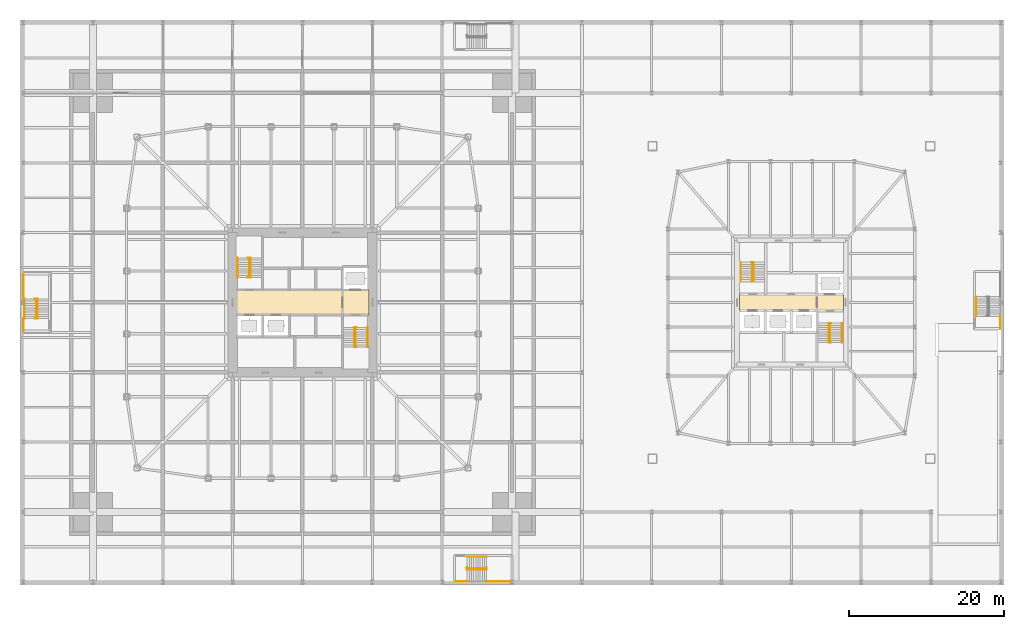
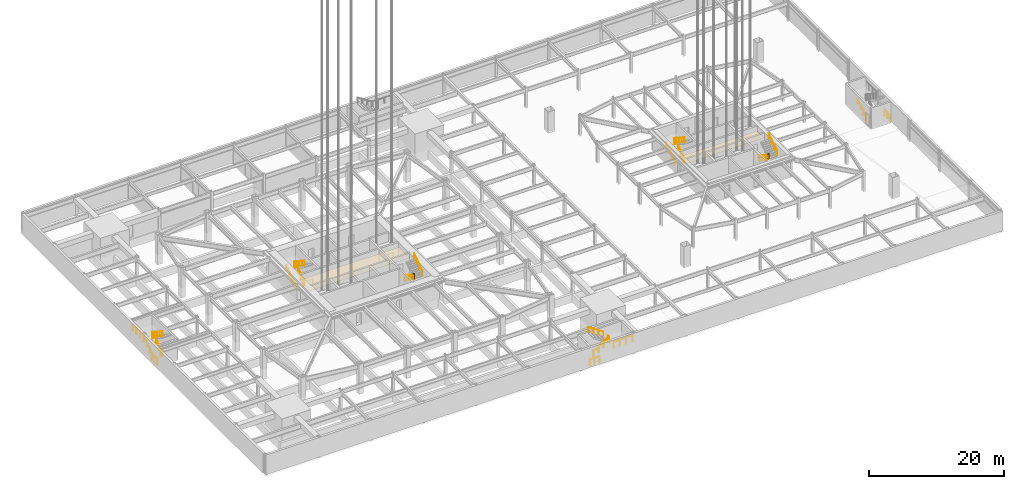
# One storey, part 33 of 35: 24 railings, 4 coverings.
"""IFC4 building model written with IfcOpenShell, lengths in metres."""

from ifc_helpers import new_model, si_unit, direction, frame, origin, origin_2d, place, context, subcontext, project, spatial, polyline, circle, outline, extrude, material, layer, layer_set, constituent, constituent_set, type_object, element, save


model = new_model("IFC4")

# Units and contexts
model_context = context("Model", 3, precision=1e-05, world=origin(), true_north=direction((0.0, 1.0)))
body_context = subcontext(model_context, "Body", "Model", "MODEL_VIEW")
ifc_project = project(units=[si_unit("LENGTHUNIT", "METRE"), si_unit("AREAUNIT", "SQUARE_METRE"), si_unit("VOLUMEUNIT", "CUBIC_METRE"), si_unit("PLANEANGLEUNIT", "RADIAN"), si_unit("MASSUNIT", "GRAM", prefix="KILO")], contexts=[model_context])

# Site, building, storey
site_placement = place(None, origin())
site = spatial("IfcSite", under=ifc_project, at=site_placement, CompositionType="ELEMENT")
building_placement = place(site_placement, origin())
building = spatial("IfcBuilding", under=site, at=building_placement, Name="Iwan Alto Co-Living Towers", CompositionType="ELEMENT")
storey_placement = place(building_placement, frame((0.0, 0.0, -7.199951171875)))
storey = spatial("IfcBuildingStorey", under=building, at=storey_placement, Name="B2", CompositionType="ELEMENT", Elevation=-7.199951171875)

# Coverings
ifc_material_1 = material(Name="Mineral fibre acoustic tiles on steel grid", Category="steel")
ifc_layer = layer(ifc_material_1, 0.02001953125)
ifc_layer_set = layer_set([ifc_layer], Name="ACOUSTIC TILE CEILING 20")
covering_type = type_object("IfcCoveringType", Name="ACOUSTIC TILE CEILING 20", PredefinedType="CEILING", material=ifc_layer_set)
covering_1_placement = place(storey_placement, frame((0.0, 0.0, 2.599853515625)))
element("IfcCovering", 1, at=covering_1_placement, inside=storey, type_object=covering_type, Name="Ceiling Lift lobby B2", PredefinedType="CEILING", context=body_context, shape_type="SweptSolid", body=[
    extrude(outline(polyline([(-8.550048828125, -1.60009765625), (-8.550048828125, 1.60009765625), (5.14990234375, 1.60009765625), (5.14990234375, -1.60009765625), (-8.550048828125, -1.60009765625)])), origin(), (0.0, 0.0, 1.0), 0.02001953125),
])
covering_2_placement = place(storey_placement, frame((0.0, 0.0, 2.599853515625)))
element("IfcCovering", 2, at=covering_2_placement, inside=storey, type_object=covering_type, Name="Ceiling Firefighting lobby B2", PredefinedType="CEILING", context=body_context, shape_type="SweptSolid", body=[
    extrude(outline(polyline([(5.14990234375, -1.60009765625), (5.14990234375, 1.60009765625), (8.550048828125, 1.60009765625), (8.550048828125, -1.60009765625), (5.14990234375, -1.60009765625)])), origin(), (0.0, 0.0, 1.0), 0.02001953125),
])
covering_3_placement = place(storey_placement, frame((0.0, 0.0, 2.599853515625)))
element("IfcCovering", 3, at=covering_3_placement, inside=storey, type_object=covering_type, Name="Ceiling Lift lobby B2", PredefinedType="CEILING", context=body_context, shape_type="SweptSolid", body=[
    extrude(outline(polyline([(56.300048828125, -1.050048828125), (56.300048828125, 1.050048828125), (66.300048828125, 1.050048828125), (66.300048828125, -1.050048828125), (56.300048828125, -1.050048828125)])), origin(), (0.0, 0.0, 1.0), 0.02001953125),
])
covering_4_placement = place(storey_placement, frame((0.0, 0.0, 2.599853515625)))
element("IfcCovering", 4, at=covering_4_placement, inside=storey, type_object=covering_type, Name="Ceiling Firefighting lobby B2", PredefinedType="CEILING", context=body_context, shape_type="SweptSolid", body=[
    extrude(outline(polyline([(66.300048828125, -1.050048828125), (66.300048828125, 1.050048828125), (69.699951171875, 1.050048828125), (69.699951171875, -1.050048828125), (66.300048828125, -1.050048828125)])), origin(), (0.0, 0.0, 1.0), 0.02001953125),
])

# Railings
ifc_material_2 = material(Name="Steel ASTM A500 Gr C", Category="steel")
ifc_constituent_1 = constituent(ifc_material_2, Name="Rails and posts", Category="Framing")
ifc_material_3 = material(Name="Steel ASTM A36", Category="steel")
ifc_constituent_2 = constituent(ifc_material_3, Name="Bar infill", Category="Infill")
ifc_constituent_set = constituent_set(constituents=[ifc_constituent_1, ifc_constituent_2], Name="STAIR GUARD 1100")
railing_type_1 = type_object("IfcRailingType", Name="STAIR GUARD 1100", PredefinedType="GUARDRAIL", material=ifc_constituent_set)
railing_1_placement = place(storey_placement, frame((-34.300048828125, -2.080078125, 0.0)))
element("IfcRailing", 5, at=railing_1_placement, inside=storey, type_object=railing_type_1, Name="Stair PS1 well guard B2", PredefinedType="GUARDRAIL", context=body_context, shape_type="SweptSolid", body=[
    extrude(circle(Radius=0.02392578125, at=origin_2d()), frame((0.0, 0.0, 1.076171875), z_axis=(0.0, 0.813728144527, 0.581245650998), x_axis=(-1.0, 0.0, 0.0)), (0.0, 0.0, 1.0), 3.096923828125),
    extrude(circle(Radius=0.02392578125, at=origin_2d()), frame((-0.14990234375, 0.0, 1.076171875), z_axis=(1.0, 0.0, 0.0), x_axis=(0.0, 1.0, 0.0)), (0.0, 0.0, 1.0), 0.300048828125),
    extrude(circle(Radius=0.02392578125, at=origin_2d()), frame((-0.14990234375, 2.52001953125, 2.8759765625), z_axis=(1.0, 0.0, 0.0), x_axis=(0.0, 1.0, 0.0)), (0.0, 0.0, 1.0), 0.300048828125),
    extrude(circle(Radius=0.02099609375, at=origin_2d()), origin(), (0.0, 0.0, 1.0), 1.052001953125),
    extrude(circle(Radius=0.02099609375, at=origin_2d()), frame((0.0, 0.840087890625, 0.60009765625)), (0.0, 0.0, 1.0), 1.052001953125),
    extrude(circle(Radius=0.02099609375, at=origin_2d()), frame((0.0, 1.679931640625, 1.199951171875)), (0.0, 0.0, 1.0), 1.052001953125),
    extrude(circle(Radius=0.02099609375, at=origin_2d()), frame((0.0, 2.52001953125, 1.800048828125)), (0.0, 0.0, 1.0), 1.052001953125),
    extrude(circle(Radius=0.02099609375, at=origin_2d()), frame((-0.14990234375, 0.0, 0.0)), (0.0, 0.0, 1.0), 1.052001953125),
    extrude(circle(Radius=0.02099609375, at=origin_2d()), frame((0.150146484375, 0.0, 0.0)), (0.0, 0.0, 1.0), 1.052001953125),
    extrude(circle(Radius=0.02099609375, at=origin_2d()), frame((-0.14990234375, 2.52001953125, 1.800048828125)), (0.0, 0.0, 1.0), 1.052001953125),
    extrude(circle(Radius=0.02099609375, at=origin_2d()), frame((0.150146484375, 2.52001953125, 1.800048828125)), (0.0, 0.0, 1.0), 1.052001953125),
])
railing_2_placement = place(storey_placement, frame((-35.93994140625, -3.64990234375, 0.0)))
element("IfcRailing", 6, at=railing_2_placement, inside=storey, type_object=railing_type_1, Name="Stair PS1 edge guard B2 1", PredefinedType="GUARDRAIL", context=body_context, shape_type="SweptSolid", body=[
    extrude(circle(Radius=0.02392578125, at=origin_2d()), frame((0.0, 0.0, 1.076171875), z_axis=(0.0, 1.0, 0.0), x_axis=(-1.0, 0.0, 0.0)), (0.0, 0.0, 1.0), 1.619873046875),
    extrude(circle(Radius=0.02099609375, at=origin_2d()), origin(), (0.0, 0.0, 1.0), 1.052001953125),
    extrude(circle(Radius=0.02099609375, at=origin_2d()), frame((0.0, 0.81005859375, 0.0)), (0.0, 0.0, 1.0), 1.052001953125),
    extrude(circle(Radius=0.02099609375, at=origin_2d()), frame((0.0, 1.619873046875, 0.0)), (0.0, 0.0, 1.0), 1.052001953125),
])
railing_3_placement = place(storey_placement, frame((-35.93994140625, 0.389892578125, 1.800048828125)))
element("IfcRailing", 7, at=railing_3_placement, inside=storey, type_object=railing_type_1, Name="Stair PS1 edge guard B2 2", PredefinedType="GUARDRAIL", context=body_context, shape_type="SweptSolid", body=[
    extrude(circle(Radius=0.02392578125, at=origin_2d()), frame((0.0, 0.0, 1.076171875), z_axis=(0.0, 1.0, 0.0), x_axis=(-1.0, 0.0, 0.0)), (0.0, 0.0, 1.0), 3.260009765625),
    extrude(circle(Radius=0.02099609375, at=origin_2d()), origin(), (0.0, 0.0, 1.0), 1.052001953125),
    extrude(circle(Radius=0.02099609375, at=origin_2d()), frame((0.0, 1.086669921875, 0.0)), (0.0, 0.0, 1.0), 1.052001953125),
    extrude(circle(Radius=0.02099609375, at=origin_2d()), frame((0.0, 2.17333984375, 0.0)), (0.0, 0.0, 1.0), 1.052001953125),
    extrude(circle(Radius=0.02099609375, at=origin_2d()), frame((0.0, 3.260009765625, 0.0)), (0.0, 0.0, 1.0), 1.052001953125),
])
railing_4_placement = place(storey_placement, frame((89.93994140625, -3.35009765625, 0.0)))
element("IfcRailing", 8, at=railing_4_placement, inside=storey, type_object=railing_type_1, Name="Stair PS2 edge guard B2 1", PredefinedType="GUARDRAIL", context=body_context, shape_type="SweptSolid", body=[
    extrude(circle(Radius=0.02392578125, at=origin_2d()), frame((0.0, 0.0, 1.076171875), z_axis=(0.0, 1.0, 0.0), x_axis=(-1.0, 0.0, 0.0)), (0.0, 0.0, 1.0), 1.6201171875),
    extrude(circle(Radius=0.02099609375, at=origin_2d()), origin(), (0.0, 0.0, 1.0), 1.052001953125),
    extrude(circle(Radius=0.02099609375, at=origin_2d()), frame((0.0, 0.81005859375, 0.0)), (0.0, 0.0, 1.0), 1.052001953125),
    extrude(circle(Radius=0.02099609375, at=origin_2d()), frame((0.0, 1.6201171875, 0.0)), (0.0, 0.0, 1.0), 1.052001953125),
])
railing_5_placement = place(storey_placement, frame((21.219970703125, -34.300048828125, 0.0)))
element("IfcRailing", 9, at=railing_5_placement, inside=storey, type_object=railing_type_1, Name="Stair PS4 well guard B2", PredefinedType="GUARDRAIL", context=body_context, shape_type="SweptSolid", body=[
    extrude(circle(Radius=0.02392578125, at=origin_2d()), frame((0.0, 0.0, 1.076171875), z_axis=(0.813728144527, 0.0, 0.581245650998), x_axis=(0.0, 1.0, 0.0)), (0.0, 0.0, 1.0), 3.096923828125),
    extrude(circle(Radius=0.02392578125, at=origin_2d()), frame((0.0, -0.14990234375, 1.076171875), z_axis=(0.0, 1.0, 0.0), x_axis=(-1.0, 0.0, 0.0)), (0.0, 0.0, 1.0), 0.300048828125),
    extrude(circle(Radius=0.02392578125, at=origin_2d()), frame((2.52001953125, -0.14990234375, 2.8759765625), z_axis=(0.0, 1.0, 0.0), x_axis=(-1.0, 0.0, 0.0)), (0.0, 0.0, 1.0), 0.300048828125),
    extrude(circle(Radius=0.02099609375, at=origin_2d()), origin(), (0.0, 0.0, 1.0), 1.052001953125),
    extrude(circle(Radius=0.02099609375, at=origin_2d()), frame((0.840087890625, 0.0, 0.60009765625)), (0.0, 0.0, 1.0), 1.052001953125),
    extrude(circle(Radius=0.02099609375, at=origin_2d()), frame((1.679931640625, 0.0, 1.199951171875)), (0.0, 0.0, 1.0), 1.052001953125),
    extrude(circle(Radius=0.02099609375, at=origin_2d()), frame((2.52001953125, 0.0, 1.800048828125)), (0.0, 0.0, 1.0), 1.052001953125),
    extrude(circle(Radius=0.02099609375, at=origin_2d()), frame((0.0, -0.14990234375, 0.0)), (0.0, 0.0, 1.0), 1.052001953125),
    extrude(circle(Radius=0.02099609375, at=origin_2d()), frame((0.0, 0.150146484375, 0.0)), (0.0, 0.0, 1.0), 1.052001953125),
    extrude(circle(Radius=0.02099609375, at=origin_2d()), frame((2.52001953125, -0.14990234375, 1.800048828125)), (0.0, 0.0, 1.0), 1.052001953125),
    extrude(circle(Radius=0.02099609375, at=origin_2d()), frame((2.52001953125, 0.150146484375, 1.800048828125)), (0.0, 0.0, 1.0), 1.052001953125),
])
railing_6_placement = place(storey_placement, frame((19.64990234375, -35.93994140625, 0.0)))
element("IfcRailing", 10, at=railing_6_placement, inside=storey, type_object=railing_type_1, Name="Stair PS4 edge guard B2 1", PredefinedType="GUARDRAIL", context=body_context, shape_type="SweptSolid", body=[
    extrude(circle(Radius=0.02392578125, at=origin_2d()), frame((0.0, 0.0, 1.076171875), z_axis=(1.0, 0.0, 0.0), x_axis=(0.0, 1.0, 0.0)), (0.0, 0.0, 1.0), 1.6201171875),
    extrude(circle(Radius=0.02099609375, at=origin_2d()), origin(), (0.0, 0.0, 1.0), 1.052001953125),
    extrude(circle(Radius=0.02099609375, at=origin_2d()), frame((0.81005859375, 0.0, 0.0)), (0.0, 0.0, 1.0), 1.052001953125),
    extrude(circle(Radius=0.02099609375, at=origin_2d()), frame((1.6201171875, 0.0, 0.0)), (0.0, 0.0, 1.0), 1.052001953125),
])
railing_7_placement = place(storey_placement, frame((23.68994140625, -35.93994140625, 1.800048828125)))
element("IfcRailing", 11, at=railing_7_placement, inside=storey, type_object=railing_type_1, Name="Stair PS4 edge guard B2 2", PredefinedType="GUARDRAIL", context=body_context, shape_type="SweptSolid", body=[
    extrude(circle(Radius=0.02392578125, at=origin_2d()), frame((0.0, 0.0, 1.076171875), z_axis=(1.0, 0.0, 0.0), x_axis=(0.0, 1.0, 0.0)), (0.0, 0.0, 1.0), 3.260009765625),
    extrude(circle(Radius=0.02099609375, at=origin_2d()), origin(), (0.0, 0.0, 1.0), 1.052001953125),
    extrude(circle(Radius=0.02099609375, at=origin_2d()), frame((1.086669921875, 0.0, 0.0)), (0.0, 0.0, 1.0), 1.052001953125),
    extrude(circle(Radius=0.02099609375, at=origin_2d()), frame((2.17333984375, 0.0, 0.0)), (0.0, 0.0, 1.0), 1.052001953125),
    extrude(circle(Radius=0.02099609375, at=origin_2d()), frame((3.260009765625, 0.0, 0.0)), (0.0, 0.0, 1.0), 1.052001953125),
])
railing_8_placement = place(storey_placement, frame((-6.85009765625, 3.219970703125, 0.0)))
element("IfcRailing", 12, at=railing_8_placement, inside=storey, type_object=railing_type_1, Name="Stair T1-S1 well guard B2", PredefinedType="GUARDRAIL", context=body_context, shape_type="SweptSolid", body=[
    extrude(circle(Radius=0.02392578125, at=origin_2d()), frame((0.0, 0.0, 1.076171875), z_axis=(0.0, 0.813728144527, 0.581245650998), x_axis=(-1.0, 0.0, 0.0)), (0.0, 0.0, 1.0), 3.096923828125),
    extrude(circle(Radius=0.02392578125, at=origin_2d()), frame((-0.14990234375, 0.0, 1.076171875), z_axis=(1.0, 0.0, 0.0), x_axis=(0.0, 1.0, 0.0)), (0.0, 0.0, 1.0), 0.300048828125),
    extrude(circle(Radius=0.02392578125, at=origin_2d()), frame((-0.14990234375, 2.52001953125, 2.8759765625), z_axis=(1.0, 0.0, 0.0), x_axis=(0.0, 1.0, 0.0)), (0.0, 0.0, 1.0), 0.300048828125),
    extrude(circle(Radius=0.02099609375, at=origin_2d()), origin(), (0.0, 0.0, 1.0), 1.052001953125),
    extrude(circle(Radius=0.02099609375, at=origin_2d()), frame((0.0, 0.840087890625, 0.60009765625)), (0.0, 0.0, 1.0), 1.052001953125),
    extrude(circle(Radius=0.02099609375, at=origin_2d()), frame((0.0, 1.679931640625, 1.199951171875)), (0.0, 0.0, 1.0), 1.052001953125),
    extrude(circle(Radius=0.02099609375, at=origin_2d()), frame((0.0, 2.52001953125, 1.800048828125)), (0.0, 0.0, 1.0), 1.052001953125),
    extrude(circle(Radius=0.02099609375, at=origin_2d()), frame((-0.14990234375, 0.0, 0.0)), (0.0, 0.0, 1.0), 1.052001953125),
    extrude(circle(Radius=0.02099609375, at=origin_2d()), frame((0.150146484375, 0.0, 0.0)), (0.0, 0.0, 1.0), 1.052001953125),
    extrude(circle(Radius=0.02099609375, at=origin_2d()), frame((-0.14990234375, 2.52001953125, 1.800048828125)), (0.0, 0.0, 1.0), 1.052001953125),
    extrude(circle(Radius=0.02099609375, at=origin_2d()), frame((0.150146484375, 2.52001953125, 1.800048828125)), (0.0, 0.0, 1.0), 1.052001953125),
])
railing_9_placement = place(storey_placement, frame((6.85009765625, -3.219970703125, 0.0)))
element("IfcRailing", 13, at=railing_9_placement, inside=storey, type_object=railing_type_1, Name="Stair T1-S2 well guard B2", PredefinedType="GUARDRAIL", context=body_context, shape_type="SweptSolid", body=[
    extrude(circle(Radius=0.02392578125, at=origin_2d()), frame((0.0, 0.0, 1.076171875), z_axis=(0.0, -0.813728144527, 0.581245650998), x_axis=(1.0, 0.0, 0.0)), (0.0, 0.0, 1.0), 3.096923828125),
    extrude(circle(Radius=0.02392578125, at=origin_2d()), frame((-0.150146484375, 0.0, 1.076171875), z_axis=(1.0, 0.0, 0.0), x_axis=(0.0, 1.0, 0.0)), (0.0, 0.0, 1.0), 0.300048828125),
    extrude(circle(Radius=0.02392578125, at=origin_2d()), frame((-0.150146484375, -2.52001953125, 2.8759765625), z_axis=(1.0, 0.0, 0.0), x_axis=(0.0, 1.0, 0.0)), (0.0, 0.0, 1.0), 0.300048828125),
    extrude(circle(Radius=0.02099609375, at=origin_2d()), origin(), (0.0, 0.0, 1.0), 1.052001953125),
    extrude(circle(Radius=0.02099609375, at=origin_2d()), frame((0.0, -0.840087890625, 0.60009765625)), (0.0, 0.0, 1.0), 1.052001953125),
    extrude(circle(Radius=0.02099609375, at=origin_2d()), frame((0.0, -1.679931640625, 1.199951171875)), (0.0, 0.0, 1.0), 1.052001953125),
    extrude(circle(Radius=0.02099609375, at=origin_2d()), frame((0.0, -2.52001953125, 1.800048828125)), (0.0, 0.0, 1.0), 1.052001953125),
    extrude(circle(Radius=0.02099609375, at=origin_2d()), frame((-0.150146484375, 0.0, 0.0)), (0.0, 0.0, 1.0), 1.052001953125),
    extrude(circle(Radius=0.02099609375, at=origin_2d()), frame((0.14990234375, 0.0, 0.0)), (0.0, 0.0, 1.0), 1.052001953125),
    extrude(circle(Radius=0.02099609375, at=origin_2d()), frame((-0.150146484375, -2.52001953125, 1.800048828125)), (0.0, 0.0, 1.0), 1.052001953125),
    extrude(circle(Radius=0.02099609375, at=origin_2d()), frame((0.14990234375, -2.52001953125, 1.800048828125)), (0.0, 0.0, 1.0), 1.052001953125),
])
railing_10_placement = place(storey_placement, frame((58.0, 2.669921875, 0.0)))
element("IfcRailing", 14, at=railing_10_placement, inside=storey, type_object=railing_type_1, Name="Stair T2-S1 well guard B2", PredefinedType="GUARDRAIL", context=body_context, shape_type="SweptSolid", body=[
    extrude(circle(Radius=0.02392578125, at=origin_2d()), frame((0.0, 0.0, 1.076171875), z_axis=(0.0, 0.813728144527, 0.581245650998), x_axis=(-1.0, 0.0, 0.0)), (0.0, 0.0, 1.0), 3.096923828125),
    extrude(circle(Radius=0.02392578125, at=origin_2d()), frame((-0.14990234375, 0.0, 1.076171875), z_axis=(1.0, 0.0, 0.0), x_axis=(0.0, 1.0, 0.0)), (0.0, 0.0, 1.0), 0.2998046875),
    extrude(circle(Radius=0.02392578125, at=origin_2d()), frame((-0.14990234375, 2.52001953125, 2.8759765625), z_axis=(1.0, 0.0, 0.0), x_axis=(0.0, 1.0, 0.0)), (0.0, 0.0, 1.0), 0.2998046875),
    extrude(circle(Radius=0.02099609375, at=origin_2d()), origin(), (0.0, 0.0, 1.0), 1.052001953125),
    extrude(circle(Radius=0.02099609375, at=origin_2d()), frame((0.0, 0.840087890625, 0.60009765625)), (0.0, 0.0, 1.0), 1.052001953125),
    extrude(circle(Radius=0.02099609375, at=origin_2d()), frame((0.0, 1.679931640625, 1.199951171875)), (0.0, 0.0, 1.0), 1.052001953125),
    extrude(circle(Radius=0.02099609375, at=origin_2d()), frame((0.0, 2.52001953125, 1.800048828125)), (0.0, 0.0, 1.0), 1.052001953125),
    extrude(circle(Radius=0.02099609375, at=origin_2d()), frame((-0.14990234375, 0.0, 0.0)), (0.0, 0.0, 1.0), 1.052001953125),
    extrude(circle(Radius=0.02099609375, at=origin_2d()), frame((0.14990234375, 0.0, 0.0)), (0.0, 0.0, 1.0), 1.052001953125),
    extrude(circle(Radius=0.02099609375, at=origin_2d()), frame((-0.14990234375, 2.52001953125, 1.800048828125)), (0.0, 0.0, 1.0), 1.052001953125),
    extrude(circle(Radius=0.02099609375, at=origin_2d()), frame((0.14990234375, 2.52001953125, 1.800048828125)), (0.0, 0.0, 1.0), 1.052001953125),
])
railing_11_placement = place(storey_placement, frame((68.0, -2.669921875, 0.0)))
element("IfcRailing", 15, at=railing_11_placement, inside=storey, type_object=railing_type_1, Name="Stair T2-S2 well guard B2", PredefinedType="GUARDRAIL", context=body_context, shape_type="SweptSolid", body=[
    extrude(circle(Radius=0.02392578125, at=origin_2d()), frame((0.0, 0.0, 1.076171875), z_axis=(0.0, -0.813728144527, 0.581245650998), x_axis=(1.0, 0.0, 0.0)), (0.0, 0.0, 1.0), 3.096923828125),
    extrude(circle(Radius=0.02392578125, at=origin_2d()), frame((-0.14990234375, 0.0, 1.076171875), z_axis=(1.0, 0.0, 0.0), x_axis=(0.0, 1.0, 0.0)), (0.0, 0.0, 1.0), 0.2998046875),
    extrude(circle(Radius=0.02392578125, at=origin_2d()), frame((-0.14990234375, -2.52001953125, 2.8759765625), z_axis=(1.0, 0.0, 0.0), x_axis=(0.0, 1.0, 0.0)), (0.0, 0.0, 1.0), 0.2998046875),
    extrude(circle(Radius=0.02099609375, at=origin_2d()), origin(), (0.0, 0.0, 1.0), 1.052001953125),
    extrude(circle(Radius=0.02099609375, at=origin_2d()), frame((0.0, -0.840087890625, 0.60009765625)), (0.0, 0.0, 1.0), 1.052001953125),
    extrude(circle(Radius=0.02099609375, at=origin_2d()), frame((0.0, -1.679931640625, 1.199951171875)), (0.0, 0.0, 1.0), 1.052001953125),
    extrude(circle(Radius=0.02099609375, at=origin_2d()), frame((0.0, -2.52001953125, 1.800048828125)), (0.0, 0.0, 1.0), 1.052001953125),
    extrude(circle(Radius=0.02099609375, at=origin_2d()), frame((-0.14990234375, 0.0, 0.0)), (0.0, 0.0, 1.0), 1.052001953125),
    extrude(circle(Radius=0.02099609375, at=origin_2d()), frame((0.14990234375, 0.0, 0.0)), (0.0, 0.0, 1.0), 1.052001953125),
    extrude(circle(Radius=0.02099609375, at=origin_2d()), frame((-0.14990234375, -2.52001953125, 1.800048828125)), (0.0, 0.0, 1.0), 1.052001953125),
    extrude(circle(Radius=0.02099609375, at=origin_2d()), frame((0.14990234375, -2.52001953125, 1.800048828125)), (0.0, 0.0, 1.0), 1.052001953125),
])
ifc_material_4 = material(Name="Steel ASTM A500 Gr C", Category="steel")
railing_type_2 = type_object("IfcRailingType", Name="STAIR HANDRAIL 900", PredefinedType="HANDRAIL", material=ifc_material_4)
railing_12_placement = place(storey_placement, frame((-35.830078125, -2.080078125, 0.179931640625)))
element("IfcRailing", 16, at=railing_12_placement, inside=storey, type_object=railing_type_2, Name="Stair PS1 handrail 1 B2", PredefinedType="HANDRAIL", context=body_context, shape_type="SweptSolid", body=[
    extrude(circle(Radius=0.02392578125, at=origin_2d()), frame((0.0, 0.0, 0.8759765625), z_axis=(0.0, 0.841162588446, 0.540782303519), x_axis=(-1.0, 0.0, 0.0)), (0.0, 0.0, 1.0), 2.995849609375),
    extrude(circle(Radius=0.02099609375, at=origin_2d()), origin(), (0.0, 0.0, 1.0), 0.851806640625),
    extrude(circle(Radius=0.02099609375, at=origin_2d()), frame((0.0, 0.840087890625, 0.5400390625)), (0.0, 0.0, 1.0), 0.851806640625),
    extrude(circle(Radius=0.02099609375, at=origin_2d()), frame((0.0, 1.679931640625, 1.080078125)), (0.0, 0.0, 1.0), 0.851806640625),
    extrude(circle(Radius=0.02099609375, at=origin_2d()), frame((0.0, 2.52001953125, 1.6201171875)), (0.0, 0.0, 1.0), 0.851806640625),
])
railing_13_placement = place(storey_placement, frame((-34.14990234375, 0.43994140625, 1.97998046875)))
element("IfcRailing", 17, at=railing_13_placement, inside=storey, type_object=railing_type_2, Name="Stair PS1 handrail 2 B2", PredefinedType="HANDRAIL", context=body_context, shape_type="SweptSolid", body=[
    extrude(circle(Radius=0.02392578125, at=origin_2d()), frame((0.0, 0.0, 0.8759765625), z_axis=(0.0, -0.841199657755, 0.540724639528), x_axis=(1.0, 0.0, 0.0)), (0.0, 0.0, 1.0), 2.995849609375),
    extrude(circle(Radius=0.02099609375, at=origin_2d()), origin(), (0.0, 0.0, 1.0), 0.851806640625),
    extrude(circle(Radius=0.02099609375, at=origin_2d()), frame((0.0, -0.840087890625, 0.5400390625)), (0.0, 0.0, 1.0), 0.851806640625),
    extrude(circle(Radius=0.02099609375, at=origin_2d()), frame((0.0, -1.679931640625, 1.079833984375)), (0.0, 0.0, 1.0), 0.851806640625),
    extrude(circle(Radius=0.02099609375, at=origin_2d()), frame((0.0, -2.52001953125, 1.619873046875)), (0.0, 0.0, 1.0), 0.851806640625),
])
railing_14_placement = place(storey_placement, frame((86.77001953125, -1.780029296875, 0.179931640625)))
element("IfcRailing", 18, at=railing_14_placement, inside=storey, type_object=railing_type_2, Name="Stair PS2 handrail 1 B2", PredefinedType="HANDRAIL", context=body_context, shape_type="SweptSolid", body=[
    extrude(circle(Radius=0.02392578125, at=origin_2d()), frame((0.0, 0.0, 0.8759765625), z_axis=(0.0, 0.841162588446, 0.540782303519), x_axis=(-1.0, 0.0, 0.0)), (0.0, 0.0, 1.0), 2.995849609375),
    extrude(circle(Radius=0.02099609375, at=origin_2d()), origin(), (0.0, 0.0, 1.0), 0.851806640625),
    extrude(circle(Radius=0.02099609375, at=origin_2d()), frame((0.0, 0.840087890625, 0.5400390625)), (0.0, 0.0, 1.0), 0.851806640625),
    extrude(circle(Radius=0.02099609375, at=origin_2d()), frame((0.0, 1.679931640625, 1.080078125)), (0.0, 0.0, 1.0), 0.851806640625),
    extrude(circle(Radius=0.02099609375, at=origin_2d()), frame((0.0, 2.52001953125, 1.6201171875)), (0.0, 0.0, 1.0), 0.851806640625),
])
railing_15_placement = place(storey_placement, frame((21.219970703125, -34.449951171875, 0.179931640625)))
element("IfcRailing", 19, at=railing_15_placement, inside=storey, type_object=railing_type_2, Name="Stair PS4 handrail 1 B2", PredefinedType="HANDRAIL", context=body_context, shape_type="SweptSolid", body=[
    extrude(circle(Radius=0.02392578125, at=origin_2d()), frame((0.0, 0.0, 0.8759765625), z_axis=(0.841162588446, 0.0, 0.540782303519), x_axis=(0.0, 1.0, 0.0)), (0.0, 0.0, 1.0), 2.995849609375),
    extrude(circle(Radius=0.02099609375, at=origin_2d()), origin(), (0.0, 0.0, 1.0), 0.851806640625),
    extrude(circle(Radius=0.02099609375, at=origin_2d()), frame((0.840087890625, 0.0, 0.5400390625)), (0.0, 0.0, 1.0), 0.851806640625),
    extrude(circle(Radius=0.02099609375, at=origin_2d()), frame((1.679931640625, 0.0, 1.080078125)), (0.0, 0.0, 1.0), 0.851806640625),
    extrude(circle(Radius=0.02099609375, at=origin_2d()), frame((2.52001953125, 0.0, 1.6201171875)), (0.0, 0.0, 1.0), 0.851806640625),
])
railing_16_placement = place(storey_placement, frame((23.739990234375, -32.77001953125, 1.97998046875)))
element("IfcRailing", 20, at=railing_16_placement, inside=storey, type_object=railing_type_2, Name="Stair PS4 handrail 2 B2", PredefinedType="HANDRAIL", context=body_context, shape_type="SweptSolid", body=[
    extrude(circle(Radius=0.02392578125, at=origin_2d()), frame((0.0, 0.0, 0.8759765625), z_axis=(-0.841199657755, 0.0, 0.540724639528), x_axis=(0.0, -1.0, 0.0)), (0.0, 0.0, 1.0), 2.995849609375),
    extrude(circle(Radius=0.02099609375, at=origin_2d()), origin(), (0.0, 0.0, 1.0), 0.851806640625),
    extrude(circle(Radius=0.02099609375, at=origin_2d()), frame((-0.840087890625, 0.0, 0.5400390625)), (0.0, 0.0, 1.0), 0.851806640625),
    extrude(circle(Radius=0.02099609375, at=origin_2d()), frame((-1.679931640625, 0.0, 1.079833984375)), (0.0, 0.0, 1.0), 0.851806640625),
    extrude(circle(Radius=0.02099609375, at=origin_2d()), frame((-2.52001953125, 0.0, 1.619873046875)), (0.0, 0.0, 1.0), 0.851806640625),
])
railing_17_placement = place(storey_placement, frame((-8.3798828125, 3.219970703125, 0.179931640625)))
element("IfcRailing", 21, at=railing_17_placement, inside=storey, type_object=railing_type_2, Name="Stair T1-S1 handrail 1 B2", PredefinedType="HANDRAIL", context=body_context, shape_type="SweptSolid", body=[
    extrude(circle(Radius=0.02392578125, at=origin_2d()), frame((0.0, 0.0, 0.8759765625), z_axis=(0.0, 0.841162588446, 0.540782303519), x_axis=(-1.0, 0.0, 0.0)), (0.0, 0.0, 1.0), 2.995849609375),
    extrude(circle(Radius=0.02099609375, at=origin_2d()), origin(), (0.0, 0.0, 1.0), 0.851806640625),
    extrude(circle(Radius=0.02099609375, at=origin_2d()), frame((0.0, 0.840087890625, 0.5400390625)), (0.0, 0.0, 1.0), 0.851806640625),
    extrude(circle(Radius=0.02099609375, at=origin_2d()), frame((0.0, 1.679931640625, 1.080078125)), (0.0, 0.0, 1.0), 0.851806640625),
    extrude(circle(Radius=0.02099609375, at=origin_2d()), frame((0.0, 2.52001953125, 1.6201171875)), (0.0, 0.0, 1.0), 0.851806640625),
])
railing_18_placement = place(storey_placement, frame((-6.699951171875, 5.739990234375, 1.97998046875)))
element("IfcRailing", 22, at=railing_18_placement, inside=storey, type_object=railing_type_2, Name="Stair T1-S1 handrail 2 B2", PredefinedType="HANDRAIL", context=body_context, shape_type="SweptSolid", body=[
    extrude(circle(Radius=0.02392578125, at=origin_2d()), frame((0.0, 0.0, 0.8759765625), z_axis=(0.0, -0.841199657755, 0.540724639528), x_axis=(1.0, 0.0, 0.0)), (0.0, 0.0, 1.0), 2.995849609375),
    extrude(circle(Radius=0.02099609375, at=origin_2d()), origin(), (0.0, 0.0, 1.0), 0.851806640625),
    extrude(circle(Radius=0.02099609375, at=origin_2d()), frame((0.0, -0.840087890625, 0.5400390625)), (0.0, 0.0, 1.0), 0.851806640625),
    extrude(circle(Radius=0.02099609375, at=origin_2d()), frame((0.0, -1.679931640625, 1.079833984375)), (0.0, 0.0, 1.0), 0.851806640625),
    extrude(circle(Radius=0.02099609375, at=origin_2d()), frame((0.0, -2.52001953125, 1.619873046875)), (0.0, 0.0, 1.0), 0.851806640625),
])
railing_19_placement = place(storey_placement, frame((6.699951171875, -3.219970703125, 0.179931640625)))
element("IfcRailing", 23, at=railing_19_placement, inside=storey, type_object=railing_type_2, Name="Stair T1-S2 handrail 1 B2", PredefinedType="HANDRAIL", context=body_context, shape_type="SweptSolid", body=[
    extrude(circle(Radius=0.02392578125, at=origin_2d()), frame((0.0, 0.0, 0.8759765625), z_axis=(0.0, -0.841162588446, 0.540782303519), x_axis=(1.0, 0.0, 0.0)), (0.0, 0.0, 1.0), 2.995849609375),
    extrude(circle(Radius=0.02099609375, at=origin_2d()), origin(), (0.0, 0.0, 1.0), 0.851806640625),
    extrude(circle(Radius=0.02099609375, at=origin_2d()), frame((0.0, -0.840087890625, 0.5400390625)), (0.0, 0.0, 1.0), 0.851806640625),
    extrude(circle(Radius=0.02099609375, at=origin_2d()), frame((0.0, -1.679931640625, 1.080078125)), (0.0, 0.0, 1.0), 0.851806640625),
    extrude(circle(Radius=0.02099609375, at=origin_2d()), frame((0.0, -2.52001953125, 1.6201171875)), (0.0, 0.0, 1.0), 0.851806640625),
])
railing_20_placement = place(storey_placement, frame((8.3798828125, -5.739990234375, 1.97998046875)))
element("IfcRailing", 24, at=railing_20_placement, inside=storey, type_object=railing_type_2, Name="Stair T1-S2 handrail 2 B2", PredefinedType="HANDRAIL", context=body_context, shape_type="SweptSolid", body=[
    extrude(circle(Radius=0.02392578125, at=origin_2d()), frame((0.0, 0.0, 0.8759765625), z_axis=(0.0, 0.841199657755, 0.540724639528), x_axis=(-1.0, 0.0, 0.0)), (0.0, 0.0, 1.0), 2.995849609375),
    extrude(circle(Radius=0.02099609375, at=origin_2d()), origin(), (0.0, 0.0, 1.0), 0.851806640625),
    extrude(circle(Radius=0.02099609375, at=origin_2d()), frame((0.0, 0.840087890625, 0.5400390625)), (0.0, 0.0, 1.0), 0.851806640625),
    extrude(circle(Radius=0.02099609375, at=origin_2d()), frame((0.0, 1.679931640625, 1.079833984375)), (0.0, 0.0, 1.0), 0.851806640625),
    extrude(circle(Radius=0.02099609375, at=origin_2d()), frame((0.0, 2.52001953125, 1.619873046875)), (0.0, 0.0, 1.0), 0.851806640625),
])
railing_21_placement = place(storey_placement, frame((56.469970703125, 2.669921875, 0.179931640625)))
element("IfcRailing", 25, at=railing_21_placement, inside=storey, type_object=railing_type_2, Name="Stair T2-S1 handrail 1 B2", PredefinedType="HANDRAIL", context=body_context, shape_type="SweptSolid", body=[
    extrude(circle(Radius=0.02392578125, at=origin_2d()), frame((0.0, 0.0, 0.8759765625), z_axis=(0.0, 0.841162588446, 0.540782303519), x_axis=(-1.0, 0.0, 0.0)), (0.0, 0.0, 1.0), 2.995849609375),
    extrude(circle(Radius=0.02099609375, at=origin_2d()), origin(), (0.0, 0.0, 1.0), 0.851806640625),
    extrude(circle(Radius=0.02099609375, at=origin_2d()), frame((0.0, 0.840087890625, 0.5400390625)), (0.0, 0.0, 1.0), 0.851806640625),
    extrude(circle(Radius=0.02099609375, at=origin_2d()), frame((0.0, 1.679931640625, 1.080078125)), (0.0, 0.0, 1.0), 0.851806640625),
    extrude(circle(Radius=0.02099609375, at=origin_2d()), frame((0.0, 2.52001953125, 1.6201171875)), (0.0, 0.0, 1.0), 0.851806640625),
])
railing_22_placement = place(storey_placement, frame((58.14990234375, 5.18994140625, 1.97998046875)))
element("IfcRailing", 26, at=railing_22_placement, inside=storey, type_object=railing_type_2, Name="Stair T2-S1 handrail 2 B2", PredefinedType="HANDRAIL", context=body_context, shape_type="SweptSolid", body=[
    extrude(circle(Radius=0.02392578125, at=origin_2d()), frame((0.0, 0.0, 0.8759765625), z_axis=(0.0, -0.841199657755, 0.540724639528), x_axis=(1.0, 0.0, 0.0)), (0.0, 0.0, 1.0), 2.995849609375),
    extrude(circle(Radius=0.02099609375, at=origin_2d()), origin(), (0.0, 0.0, 1.0), 0.851806640625),
    extrude(circle(Radius=0.02099609375, at=origin_2d()), frame((0.0, -0.840087890625, 0.5400390625)), (0.0, 0.0, 1.0), 0.851806640625),
    extrude(circle(Radius=0.02099609375, at=origin_2d()), frame((0.0, -1.679931640625, 1.079833984375)), (0.0, 0.0, 1.0), 0.851806640625),
    extrude(circle(Radius=0.02099609375, at=origin_2d()), frame((0.0, -2.52001953125, 1.619873046875)), (0.0, 0.0, 1.0), 0.851806640625),
])
railing_23_placement = place(storey_placement, frame((67.85009765625, -2.669921875, 0.179931640625)))
element("IfcRailing", 27, at=railing_23_placement, inside=storey, type_object=railing_type_2, Name="Stair T2-S2 handrail 1 B2", PredefinedType="HANDRAIL", context=body_context, shape_type="SweptSolid", body=[
    extrude(circle(Radius=0.02392578125, at=origin_2d()), frame((0.0, 0.0, 0.8759765625), z_axis=(0.0, -0.841162588446, 0.540782303519), x_axis=(1.0, 0.0, 0.0)), (0.0, 0.0, 1.0), 2.995849609375),
    extrude(circle(Radius=0.02099609375, at=origin_2d()), origin(), (0.0, 0.0, 1.0), 0.851806640625),
    extrude(circle(Radius=0.02099609375, at=origin_2d()), frame((0.0, -0.840087890625, 0.5400390625)), (0.0, 0.0, 1.0), 0.851806640625),
    extrude(circle(Radius=0.02099609375, at=origin_2d()), frame((0.0, -1.679931640625, 1.080078125)), (0.0, 0.0, 1.0), 0.851806640625),
    extrude(circle(Radius=0.02099609375, at=origin_2d()), frame((0.0, -2.52001953125, 1.6201171875)), (0.0, 0.0, 1.0), 0.851806640625),
])
railing_24_placement = place(storey_placement, frame((69.530029296875, -5.18994140625, 1.97998046875)))
element("IfcRailing", 28, at=railing_24_placement, inside=storey, type_object=railing_type_2, Name="Stair T2-S2 handrail 2 B2", PredefinedType="HANDRAIL", context=body_context, shape_type="SweptSolid", body=[
    extrude(circle(Radius=0.02392578125, at=origin_2d()), frame((0.0, 0.0, 0.8759765625), z_axis=(0.0, 0.841199657755, 0.540724639528), x_axis=(-1.0, 0.0, 0.0)), (0.0, 0.0, 1.0), 2.995849609375),
    extrude(circle(Radius=0.02099609375, at=origin_2d()), origin(), (0.0, 0.0, 1.0), 0.851806640625),
    extrude(circle(Radius=0.02099609375, at=origin_2d()), frame((0.0, 0.840087890625, 0.5400390625)), (0.0, 0.0, 1.0), 0.851806640625),
    extrude(circle(Radius=0.02099609375, at=origin_2d()), frame((0.0, 1.679931640625, 1.079833984375)), (0.0, 0.0, 1.0), 0.851806640625),
    extrude(circle(Radius=0.02099609375, at=origin_2d()), frame((0.0, 2.52001953125, 1.619873046875)), (0.0, 0.0, 1.0), 0.851806640625),
])

save(model, "model.ifc")
